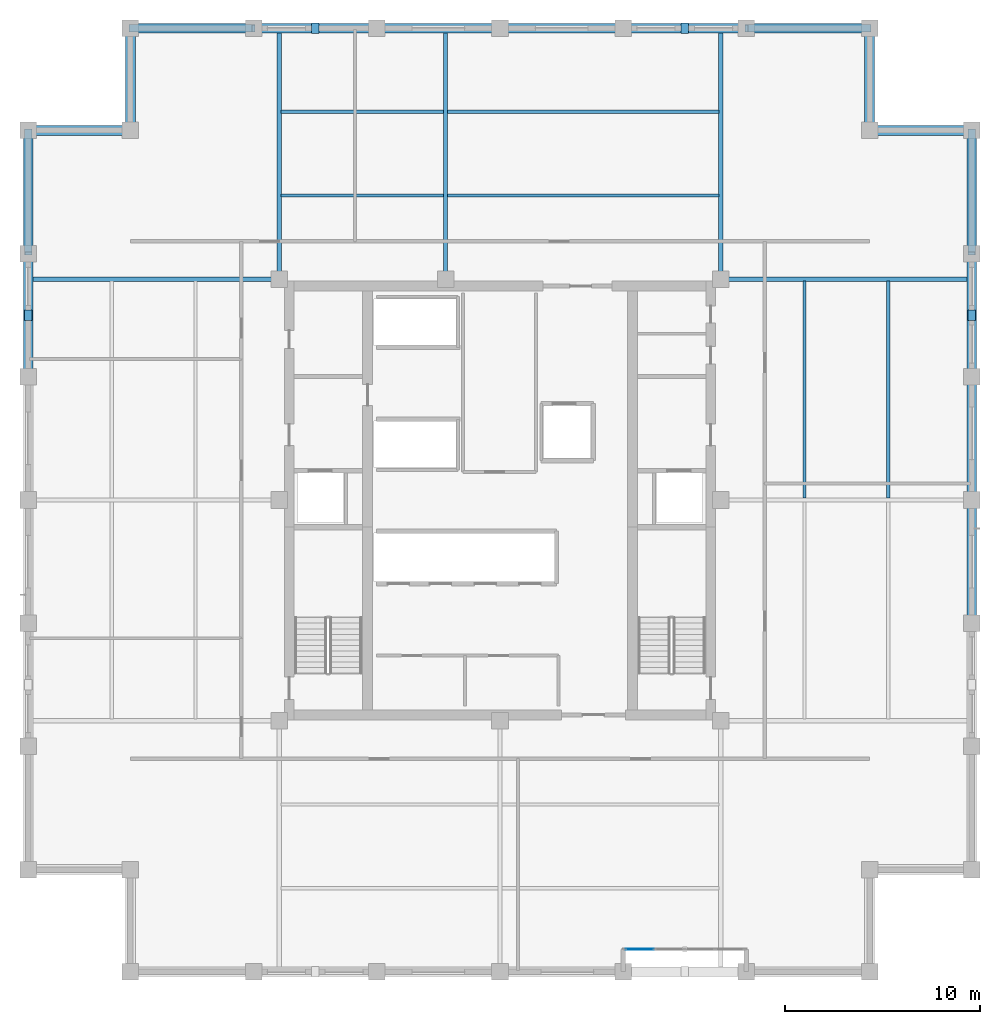
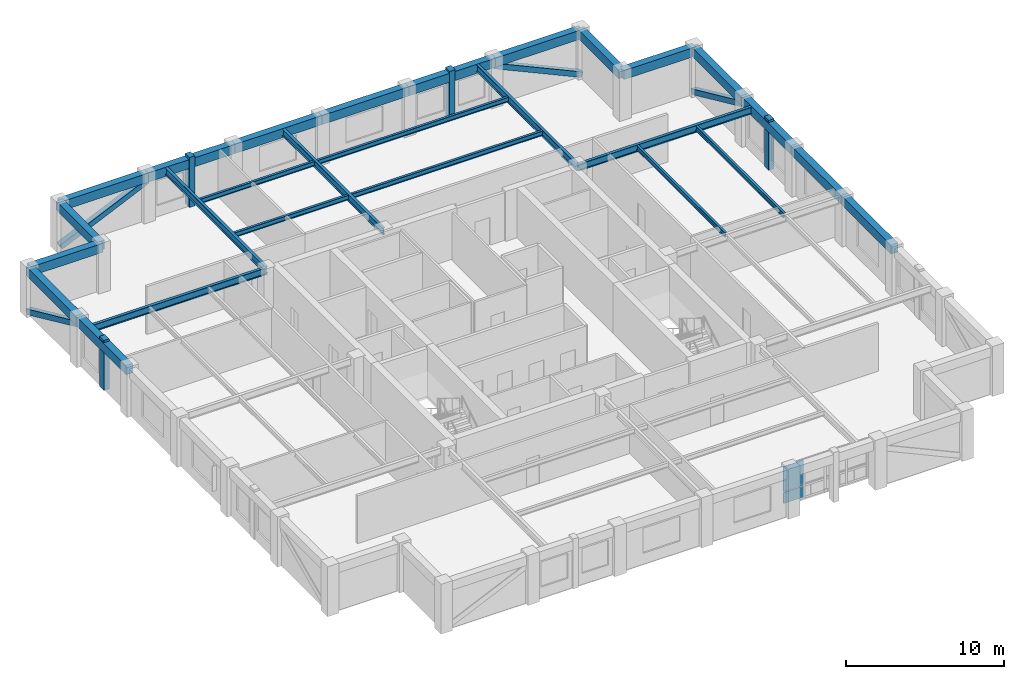
# One storey, part 5 of 13: 27 beams, 8 members, 2 plates, 1 element without a shape of its own.
"""IFC4 building model written with IfcOpenShell, lengths in metres."""

from ifc_helpers import new_model, si_unit, direction, frame, origin, origin_2d, place, context, subcontext, project, spatial, rectangle, hollow_rectangle, i_section, extrude, material, layer, layer_set, material_profile, profile_set, type_object, element, aggregate, save


model = new_model("IFC4")

# Units and contexts
model_context = context("Model", 3, precision=1e-05, world=origin(), true_north=direction((0.0, 1.0)))
body_context = subcontext(model_context, "Body", "Model", "MODEL_VIEW")
ifc_project = project(units=[si_unit("LENGTHUNIT", "METRE"), si_unit("AREAUNIT", "SQUARE_METRE"), si_unit("VOLUMEUNIT", "CUBIC_METRE"), si_unit("PLANEANGLEUNIT", "RADIAN"), si_unit("MASSUNIT", "GRAM", prefix="KILO")], contexts=[model_context])

# Site, building, storey
site_placement = place(None, origin())
site = spatial("IfcSite", under=ifc_project, at=site_placement, CompositionType="ELEMENT")
building_placement = place(site_placement, origin())
building = spatial("IfcBuilding", under=site, at=building_placement, Name="Nhamokura Convention Tower", CompositionType="ELEMENT")
storey_placement = place(building_placement, frame((0.0, 0.0, 213.85009765625)))
storey = spatial("IfcBuildingStorey", under=building, at=storey_placement, Name="L52", CompositionType="ELEMENT", Elevation=213.85009765625)

# Members
ifc_material_1 = material(Name="Bronze-pigmented precast concrete C45/55", Category="concrete")
ifc_material_profile_1 = material_profile(ifc_material_1, rectangle(XDim=0.39990234375, YDim=0.550048828125, at=origin_2d()))
ifc_profile_set_1 = profile_set([ifc_material_profile_1], Name="Bronze-pigmented precast concrete C45/55")
member_type_1 = type_object("IfcMemberType", Name="BronzePilaster_550", PredefinedType="USERDEFINED", material=ifc_profile_set_1)
for number, where, z_axis, x_axis, name in (
    (1, (22.5, 56.25, 0.0), (0.0, 0.0, 1.0), (1.0, 0.0, 0.0), "L52 Engaged Frame Pilaster NORTH 1"),
    (2, (41.5, 56.25, 0.0), (0.0, 0.0, 1.0), (1.0, 0.0, 0.0), "L52 Engaged Frame Pilaster NORTH 4"),
    (3, (7.75, 41.5, 0.0), (0.0, 0.0, 1.0), (1.0, 0.0, 0.0), "L52 Engaged Frame Pilaster WEST 4"),
    (4, (56.25, 41.5, 0.0), (0.0, 0.0, 1.0), (1.0, 0.0, 0.0), "L52 Engaged Frame Pilaster EAST 4"),
):
    element("IfcMember", number, at=place(storey_placement, frame(where, z_axis=z_axis, x_axis=x_axis)), inside=storey, type_object=member_type_1, Name=name, ObjectType="PILASTER_TRIM", PredefinedType="USERDEFINED", context=body_context, shape_type="SweptSolid", body=[
        extrude(rectangle(XDim=0.39990234375, YDim=0.550048828125, at=origin_2d()), origin(), (0.0, 0.0, 1.0), 3.849853515625),
    ])

# Beams
ifc_material_2 = material(Name="Steel ASTM A992 Gr 50", Category="steel")
ifc_material_profile_2 = material_profile(ifc_material_2, i_section(OverallWidth=0.172119140625, OverallDepth=0.35791015625, WebThickness=0.0078125, FlangeThickness=0.01318359375, at=origin_2d()))
ifc_profile_set_2 = profile_set([ifc_material_profile_2], Name="Steel ASTM A992 Gr 50")
beam_type_1 = type_object("IfcBeamType", Name="FloorJoist_W360X57", PredefinedType="JOIST", material=ifc_profile_set_2)
beam_1_placement = place(storey_placement, frame((20.75341796875, 47.64990234375, 3.505859375), z_axis=(1.0, 0.0, 0.0), x_axis=(0.0, 1.0, 0.0)))
element("IfcBeam", 5, at=beam_1_placement, inside=storey, type_object=beam_type_1, Name="L52 Composite Floor Joist N1A", PredefinedType="JOIST", context=body_context, shape_type="SweptSolid", body=[
    extrude(i_section(OverallWidth=0.172119140625, OverallDepth=0.35791015625, WebThickness=0.0078125, FlangeThickness=0.01318359375, at=origin_2d()), origin(), (0.0, 0.0, 1.0), 8.343017578125),
])
beam_2_placement = place(storey_placement, frame((29.303466796875, 47.64990234375, 3.505859375), z_axis=(1.0, 0.0, 0.0), x_axis=(0.0, 1.0, 0.0)))
element("IfcBeam", 6, at=beam_2_placement, inside=storey, type_object=beam_type_1, Name="L52 Composite Floor Joist N1B", PredefinedType="JOIST", context=body_context, shape_type="SweptSolid", body=[
    extrude(i_section(OverallWidth=0.172119140625, OverallDepth=0.35791015625, WebThickness=0.0078125, FlangeThickness=0.01318359375, at=origin_2d()), origin(), (0.0, 0.0, 1.0), 13.943115234375),
])
beam_3_placement = place(storey_placement, frame((20.75341796875, 51.949951171875, 3.505859375), z_axis=(1.0, 0.0, 0.0), x_axis=(0.0, 1.0, 0.0)))
element("IfcBeam", 7, at=beam_3_placement, inside=storey, type_object=beam_type_1, Name="L52 Composite Floor Joist N2A", PredefinedType="JOIST", context=body_context, shape_type="SweptSolid", body=[
    extrude(i_section(OverallWidth=0.172119140625, OverallDepth=0.35791015625, WebThickness=0.0078125, FlangeThickness=0.01318359375, at=origin_2d()), origin(), (0.0, 0.0, 1.0), 8.343017578125),
])
beam_4_placement = place(storey_placement, frame((29.303466796875, 51.949951171875, 3.505859375), z_axis=(1.0, 0.0, 0.0), x_axis=(0.0, 1.0, 0.0)))
element("IfcBeam", 8, at=beam_4_placement, inside=storey, type_object=beam_type_1, Name="L52 Composite Floor Joist N2B", PredefinedType="JOIST", context=body_context, shape_type="SweptSolid", body=[
    extrude(i_section(OverallWidth=0.172119140625, OverallDepth=0.35791015625, WebThickness=0.0078125, FlangeThickness=0.01318359375, at=origin_2d()), origin(), (0.0, 0.0, 1.0), 13.943115234375),
])
for number, where, z_axis, x_axis, name in (
    (9, (47.64990234375, 32.103515625, 3.505859375), (0.0, 1.0, 0.0), (-1.0, 0.0, 0.0), "L52 Composite Floor Joist E1B"),
    (10, (51.949951171875, 32.103515625, 3.505859375), (0.0, 1.0, 0.0), (-1.0, 0.0, 0.0), "L52 Composite Floor Joist E2B"),
):
    element("IfcBeam", number, at=place(storey_placement, frame(where, z_axis=z_axis, x_axis=x_axis)), inside=storey, type_object=beam_type_1, Name=name, PredefinedType="JOIST", context=body_context, shape_type="SweptSolid", body=[
        extrude(i_section(OverallWidth=0.172119140625, OverallDepth=0.35791015625, WebThickness=0.0078125, FlangeThickness=0.01318359375, at=origin_2d()), origin(), (0.0, 0.0, 1.0), 11.14306640625),
    ])
ifc_material_3 = material(Name="Steel ASTM A992 Gr 50", Category="steel")
ifc_material_profile_3 = material_profile(ifc_material_3, i_section(OverallWidth=0.2109375, OverallDepth=0.5390625, WebThickness=0.01171875, FlangeThickness=0.018798828125, at=origin_2d()))
ifc_profile_set_3 = profile_set([ifc_material_profile_3], Name="Steel ASTM A992 Gr 50")
beam_type_2 = type_object("IfcBeamType", Name="PrimaryGirder_W530X109", PredefinedType="BEAM", material=ifc_profile_set_3)
for number, where, z_axis, x_axis, name in (
    (11, (20.64990234375, 43.35009765625, 3.415283203125), (0.0, 1.0, 0.0), (-1.0, 0.0, 0.0), "L52 Primary Floor Girder PG-N1"),
    (12, (29.199951171875, 43.35009765625, 3.415283203125), (0.0, 1.0, 0.0), (-1.0, 0.0, 0.0), "L52 Primary Floor Girder PG-N2"),
    (13, (43.35009765625, 43.35009765625, 3.415283203125), (0.0, 1.0, 0.0), (-1.0, 0.0, 0.0), "L52 Primary Floor Girder PG-N3"),
    (14, (7.75, 43.35009765625, 3.415283203125), (1.0, 0.0, 0.0), (0.0, 1.0, 0.0), "L52 Primary Floor Girder PG-W3"),
    (15, (43.35009765625, 43.35009765625, 3.415283203125), (1.0, 0.0, 0.0), (0.0, 1.0, 0.0), "L52 Primary Floor Girder PG-E3"),
):
    element("IfcBeam", number, at=place(storey_placement, frame(where, z_axis=z_axis, x_axis=x_axis)), inside=storey, type_object=beam_type_2, Name=name, PredefinedType="BEAM", context=body_context, shape_type="SweptSolid", body=[
        extrude(i_section(OverallWidth=0.2109375, OverallDepth=0.5390625, WebThickness=0.01171875, FlangeThickness=0.018798828125, at=origin_2d()), origin(), (0.0, 0.0, 1.0), 12.89990234375),
    ])

# Members
ifc_material_4 = material(Name="Steel ASTM A572 Gr 50", Category="steel")
ifc_material_profile_4 = material_profile(ifc_material_4, hollow_rectangle(XDim=0.39990234375, YDim=0.39990234375, WallThickness=0.02001953125, at=origin_2d()))
ifc_profile_set_4 = profile_set([ifc_material_profile_4], Name="Steel ASTM A572 Gr 50")
member_type_2 = type_object("IfcMemberType", Name="TubeBrace_HSS400", PredefinedType="BRACE", material=ifc_profile_set_4)
for number, where, z_axis, x_axis, name in (
    (16, (13.0, 56.25, 0.14990234375), (0.910027379678, 0.0, 0.41454814948), (0.0, 1.0, 0.0), "L52 Perimeter Tube Brace NORTH Bay 0"),
    (17, (51.0, 56.25, 0.14990234375), (-0.910027379678, 0.0, 0.41454814948), (0.0, -1.0, 0.0), "L52 Perimeter Tube Brace NORTH Bay 5"),
    (18, (7.75, 51.0, 0.14990234375), (0.0, -0.910027379678, 0.41454814948), (1.0, 0.0, 0.0), "L52 Perimeter Tube Brace WEST Bay 5"),
    (19, (56.25, 51.0, 0.14990234375), (0.0, -0.910027379678, 0.41454814948), (1.0, 0.0, 0.0), "L52 Perimeter Tube Brace EAST Bay 5"),
):
    element("IfcMember", number, at=place(storey_placement, frame(where, z_axis=z_axis, x_axis=x_axis)), inside=storey, type_object=member_type_2, Name=name, PredefinedType="BRACE", context=body_context, shape_type="SweptSolid", body=[
        extrude(hollow_rectangle(XDim=0.39990234375, YDim=0.39990234375, WallThickness=0.02001953125, at=origin_2d()), origin(), (0.0, 0.0, 1.0), 6.95947265625),
    ])

# Beams
ifc_material_5 = material(Name="Concrete C50/60", Category="concrete")
ifc_material_profile_5 = material_profile(ifc_material_5, rectangle(XDim=0.5, YDim=0.699951171875, at=origin_2d()))
ifc_profile_set_5 = profile_set([ifc_material_profile_5], Name="Concrete C50/60")
beam_type_3 = type_object("IfcBeamType", Name="TubeSpandrel_700", PredefinedType="SPANDREL", material=ifc_profile_set_5)
beam_5_placement = place(storey_placement, frame((13.0, 56.25, 3.3349609375), z_axis=(1.0, 0.0, 0.0), x_axis=(0.0, 1.0, 0.0)))
element("IfcBeam", 20, at=beam_5_placement, inside=storey, type_object=beam_type_3, Name="L52 Perimeter Spandrel NORTH 1", PredefinedType="SPANDREL", context=body_context, shape_type="SweptSolid", body=[
    extrude(rectangle(XDim=0.5, YDim=0.699951171875, at=origin_2d()), origin(), (0.0, 0.0, 1.0), 6.333251953125),
])
beam_6_placement = place(storey_placement, frame((19.333251953125, 56.25, 3.3349609375), z_axis=(1.0, 0.0, 0.0), x_axis=(0.0, 1.0, 0.0)))
element("IfcBeam", 21, at=beam_6_placement, inside=storey, type_object=beam_type_3, Name="L52 Perimeter Spandrel NORTH 2", PredefinedType="SPANDREL", context=body_context, shape_type="SweptSolid", body=[
    extrude(rectangle(XDim=0.5, YDim=0.699951171875, at=origin_2d()), origin(), (0.0, 0.0, 1.0), 6.33349609375),
])
for number, where, z_axis, x_axis, name in (
    (22, (25.666748046875, 56.25, 3.3349609375), (1.0, 0.0, 0.0), (0.0, 1.0, 0.0), "L52 Perimeter Spandrel NORTH 3"),
    (23, (32.0, 56.25, 3.3349609375), (1.0, 0.0, 0.0), (0.0, 1.0, 0.0), "L52 Perimeter Spandrel NORTH 4"),
):
    element("IfcBeam", number, at=place(storey_placement, frame(where, z_axis=z_axis, x_axis=x_axis)), inside=storey, type_object=beam_type_3, Name=name, PredefinedType="SPANDREL", context=body_context, shape_type="SweptSolid", body=[
        extrude(rectangle(XDim=0.5, YDim=0.699951171875, at=origin_2d()), origin(), (0.0, 0.0, 1.0), 6.333251953125),
    ])
beam_7_placement = place(storey_placement, frame((38.333251953125, 56.25, 3.3349609375), z_axis=(1.0, 0.0, 0.0), x_axis=(0.0, 1.0, 0.0)))
element("IfcBeam", 24, at=beam_7_placement, inside=storey, type_object=beam_type_3, Name="L52 Perimeter Spandrel NORTH 5", PredefinedType="SPANDREL", context=body_context, shape_type="SweptSolid", body=[
    extrude(rectangle(XDim=0.5, YDim=0.699951171875, at=origin_2d()), origin(), (0.0, 0.0, 1.0), 6.33349609375),
])
beam_8_placement = place(storey_placement, frame((44.666748046875, 56.25, 3.3349609375), z_axis=(1.0, 0.0, 0.0), x_axis=(0.0, 1.0, 0.0)))
element("IfcBeam", 25, at=beam_8_placement, inside=storey, type_object=beam_type_3, Name="L52 Perimeter Spandrel NORTH 6", PredefinedType="SPANDREL", context=body_context, shape_type="SweptSolid", body=[
    extrude(rectangle(XDim=0.5, YDim=0.699951171875, at=origin_2d()), origin(), (0.0, 0.0, 1.0), 6.333251953125),
])
beam_9_placement = place(storey_placement, frame((7.75, 38.333251953125, 3.3349609375), z_axis=(0.0, 1.0, 0.0), x_axis=(-1.0, 0.0, 0.0)))
element("IfcBeam", 26, at=beam_9_placement, inside=storey, type_object=beam_type_3, Name="L52 Perimeter Spandrel WEST 5", PredefinedType="SPANDREL", context=body_context, shape_type="SweptSolid", body=[
    extrude(rectangle(XDim=0.5, YDim=0.699951171875, at=origin_2d()), origin(), (0.0, 0.0, 1.0), 6.33349609375),
])
for number, where, z_axis, x_axis, name in (
    (27, (7.75, 44.666748046875, 3.3349609375), (0.0, 1.0, 0.0), (-1.0, 0.0, 0.0), "L52 Perimeter Spandrel WEST 6"),
    (28, (56.25, 25.666748046875, 3.3349609375), (0.0, 1.0, 0.0), (-1.0, 0.0, 0.0), "L52 Perimeter Spandrel EAST 3"),
    (29, (56.25, 32.0, 3.3349609375), (0.0, 1.0, 0.0), (-1.0, 0.0, 0.0), "L52 Perimeter Spandrel EAST 4"),
):
    element("IfcBeam", number, at=place(storey_placement, frame(where, z_axis=z_axis, x_axis=x_axis)), inside=storey, type_object=beam_type_3, Name=name, PredefinedType="SPANDREL", context=body_context, shape_type="SweptSolid", body=[
        extrude(rectangle(XDim=0.5, YDim=0.699951171875, at=origin_2d()), origin(), (0.0, 0.0, 1.0), 6.333251953125),
    ])
beam_10_placement = place(storey_placement, frame((56.25, 38.333251953125, 3.3349609375), z_axis=(0.0, 1.0, 0.0), x_axis=(-1.0, 0.0, 0.0)))
element("IfcBeam", 30, at=beam_10_placement, inside=storey, type_object=beam_type_3, Name="L52 Perimeter Spandrel EAST 5", PredefinedType="SPANDREL", context=body_context, shape_type="SweptSolid", body=[
    extrude(rectangle(XDim=0.5, YDim=0.699951171875, at=origin_2d()), origin(), (0.0, 0.0, 1.0), 6.33349609375),
])
beam_11_placement = place(storey_placement, frame((56.25, 44.666748046875, 3.3349609375), z_axis=(0.0, 1.0, 0.0), x_axis=(-1.0, 0.0, 0.0)))
element("IfcBeam", 31, at=beam_11_placement, inside=storey, type_object=beam_type_3, Name="L52 Perimeter Spandrel EAST 6", PredefinedType="SPANDREL", context=body_context, shape_type="SweptSolid", body=[
    extrude(rectangle(XDim=0.5, YDim=0.699951171875, at=origin_2d()), origin(), (0.0, 0.0, 1.0), 6.333251953125),
])
for number, where, z_axis, x_axis, name in (
    (32, (56.25, 51.0, 3.3349609375), (-1.0, 0.0, 0.0), (0.0, -1.0, 0.0), "L52 Notch Spandrel NE1"),
    (33, (51.0, 51.0, 3.3349609375), (0.0, 1.0, 0.0), (-1.0, 0.0, 0.0), "L52 Notch Spandrel NE2"),
    (34, (13.0, 56.25, 3.3349609375), (0.0, -1.0, 0.0), (1.0, 0.0, 0.0), "L52 Notch Spandrel NW1"),
    (35, (13.0, 51.0, 3.3349609375), (-1.0, 0.0, 0.0), (0.0, -1.0, 0.0), "L52 Notch Spandrel NW2"),
):
    element("IfcBeam", number, at=place(storey_placement, frame(where, z_axis=z_axis, x_axis=x_axis)), inside=storey, type_object=beam_type_3, Name=name, PredefinedType="SPANDREL", context=body_context, shape_type="SweptSolid", body=[
        extrude(rectangle(XDim=0.5, YDim=0.699951171875, at=origin_2d()), origin(), (0.0, 0.0, 1.0), 5.25),
    ])

# Curtain wall, plates
ifc_material_6 = material(Name="Anodised bronze aluminium AA6063-T6", Category="aluminium")
ifc_layer_1 = layer(ifc_material_6, 0.155029296875)
ifc_layer_set_1 = layer_set([ifc_layer_1], Name="CWSystem_ScaleSlot_Zone3")
curtain_wall_type = type_object("IfcCurtainWallType", Name="CWSystem_ScaleSlot_Zone3", PredefinedType="NOTDEFINED", material=ifc_layer_set_1)
curtain_wall_placement = place(storey_placement, origin())
curtain_wall = element("IfcCurtainWall", 36, at=curtain_wall_placement, inside=storey, type_object=curtain_wall_type, Name="L52 Curtain Wall ENV-L52-SLOT-S4", PredefinedType="NOTDEFINED")
ifc_material_7 = material(Name="Solar-control bronze low-E double glass", Category="glass")
ifc_layer_2 = layer(ifc_material_7, 0.0400390625)
ifc_layer_set_2 = layer_set([ifc_layer_2], Name="CWGlazedPanel_3")
plate_type = type_object("IfcPlateType", Name="CWGlazedPanel_3", PredefinedType="CURTAIN_PANEL", material=ifc_layer_set_2)
plate_1_placement = place(storey_placement, frame((39.186279296875, 8.89990234375, 0.06494140625), z_axis=(0.0, 0.0, 1.0), x_axis=(-1.0, 0.0, 0.0)))
plate_1 = element("IfcPlate", 37, at=plate_1_placement, type_object=plate_type, Name="CW-05 panel 4.1", PredefinedType="CURTAIN_PANEL", context=body_context, shape_type="SweptSolid", body=[
    extrude(rectangle(XDim=1.455810546875, YDim=0.0400390625, at=origin_2d()), origin(), (0.0, 0.0, 1.0), 0.8525390625),
])
plate_2_placement = place(storey_placement, frame((39.186279296875, 8.89990234375, 0.982421875), z_axis=(0.0, 0.0, 1.0), x_axis=(-1.0, 0.0, 0.0)))
plate_2 = element("IfcPlate", 38, at=plate_2_placement, type_object=plate_type, Name="CW-05 panel 4.2", PredefinedType="CURTAIN_PANEL", context=body_context, shape_type="SweptSolid", body=[
    extrude(rectangle(XDim=1.455810546875, YDim=0.0400390625, at=origin_2d()), origin(), (0.0, 0.0, 1.0), 1.9375),
])
aggregate(curtain_wall, [plate_1, plate_2])

save(model, "model.ifc")
